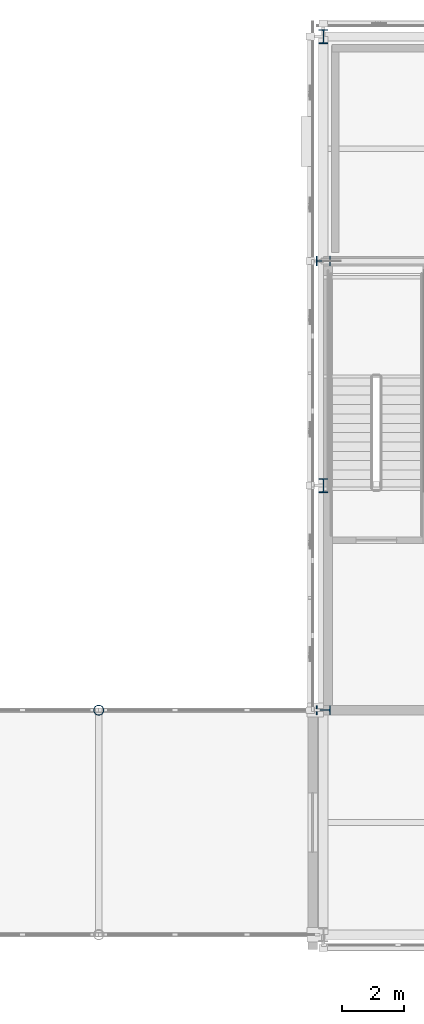
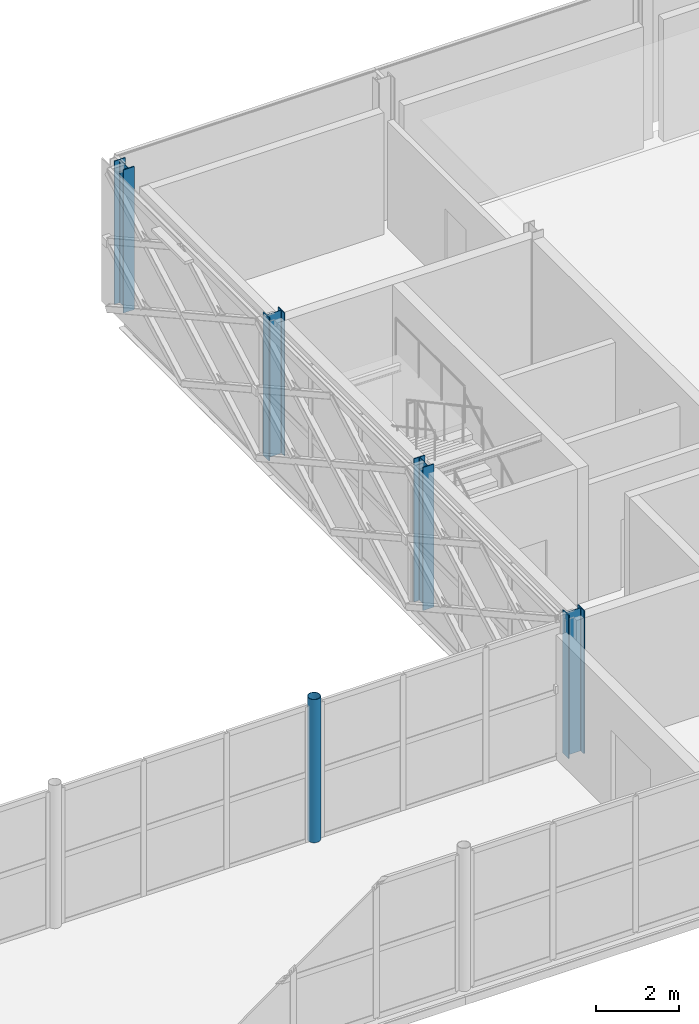
# One storey, part 15 of 146: 5 columns.
"""IFC4 building model written with IfcOpenShell, lengths in metres."""

from ifc_helpers import new_model, si_unit, direction, frame, origin, origin_2d, place, context, subcontext, project, spatial, hollow_circle, i_section, extrude, material, material_profile, profile_set, type_object, element, save


model = new_model("IFC4")

# Units and contexts
model_context = context("Model", 3, precision=1e-05, world=origin(), true_north=direction((0.0, 1.0)))
body_context = subcontext(model_context, "Body", "Model", "MODEL_VIEW")
ifc_project = project(units=[si_unit("LENGTHUNIT", "METRE"), si_unit("AREAUNIT", "SQUARE_METRE"), si_unit("VOLUMEUNIT", "CUBIC_METRE"), si_unit("PLANEANGLEUNIT", "RADIAN"), si_unit("MASSUNIT", "GRAM", prefix="KILO")], contexts=[model_context])

# Site, building, storey
site_placement = place(None, origin())
site = spatial("IfcSite", under=ifc_project, at=site_placement, CompositionType="ELEMENT")
building_placement = place(site_placement, origin())
building = spatial("IfcBuilding", under=site, at=building_placement, Name="Zlatovets Crest Museum", CompositionType="ELEMENT")
storey_placement = place(building_placement, frame((0.0, 0.0, 4.5)))
storey = spatial("IfcBuildingStorey", under=building, at=storey_placement, Name="L01", CompositionType="ELEMENT", Elevation=4.5)

# Columns
ifc_material = material(Name="Structural steel S355J2", Category="steel")
ifc_material_profile_1 = material_profile(ifc_material, i_section(OverallWidth=0.300048828125, OverallDepth=0.449951171875, WebThickness=0.013916015625, FlangeThickness=0.02587890625, FilletRadius=0.027099609375, at=origin_2d()), Name="HEB 450")
ifc_profile_set_1 = profile_set([ifc_material_profile_1], Name="Structural steel S355J2")
column_type_1 = type_object("IfcColumnType", Name="Col_C-06", PredefinedType="COLUMN", material=ifc_profile_set_1)
for number, where, z_axis, x_axis, name in (
    (1, (57.60009765625, 93.60009765625, 0.0), (0.0, 0.0, 1.0), (0.0, 1.0, 0.0), "V1 L01 Column (57.6, 93.6)"),
    (2, (57.60009765625, 100.800048828125, 0.0), (0.0, 0.0, 1.0), (1.0, 0.0, 0.0), "V1 L01 Column (57.6, 100.8)"),
    (3, (57.60009765625, 108.0, 0.0), (0.0, 0.0, 1.0), (0.0, 1.0, 0.0), "V1 L01 Column (57.6, 108.0)"),
    (4, (57.60009765625, 115.199951171875, 0.0), (0.0, 0.0, 1.0), (1.0, 0.0, 0.0), "V1 L01 Column (57.6, 115.2)"),
):
    element("IfcColumn", number, at=place(storey_placement, frame(where, z_axis=z_axis, x_axis=x_axis)), inside=storey, type_object=column_type_1, Name=name, PredefinedType="COLUMN", context=body_context, shape_type="SweptSolid", body=[
        extrude(i_section(OverallWidth=0.300048828125, OverallDepth=0.449951171875, WebThickness=0.013916015625, FlangeThickness=0.02587890625, FilletRadius=0.027099609375, at=origin_2d()), origin(), (0.0, 0.0, 1.0), 4.199951171875),
    ])
ifc_material_profile_2 = material_profile(ifc_material, hollow_circle(Radius=0.161865234375, WallThickness=0.012451171875, at=origin_2d()), Name="CHS 323.9x12.5")
ifc_profile_set_2 = profile_set([ifc_material_profile_2], Name="Structural steel S355J2")
column_type_2 = type_object("IfcColumnType", Name="Col_C-13", PredefinedType="COLUMN", material=ifc_profile_set_2)
column_placement = place(storey_placement, frame((50.39990234375, 93.60009765625, 0.0), z_axis=(0.0, 0.0, 1.0), x_axis=(1.0, 0.0, 0.0)))
element("IfcColumn", 5, at=column_placement, inside=storey, type_object=column_type_2, Name="Northwest Crest Glazed Link Bridge Portal Column", PredefinedType="COLUMN", context=body_context, shape_type="SweptSolid", body=[
    extrude(hollow_circle(Radius=0.161865234375, WallThickness=0.012451171875, at=origin_2d()), origin(), (0.0, 0.0, 1.0), 4.199951171875),
])

save(model, "model.ifc")
